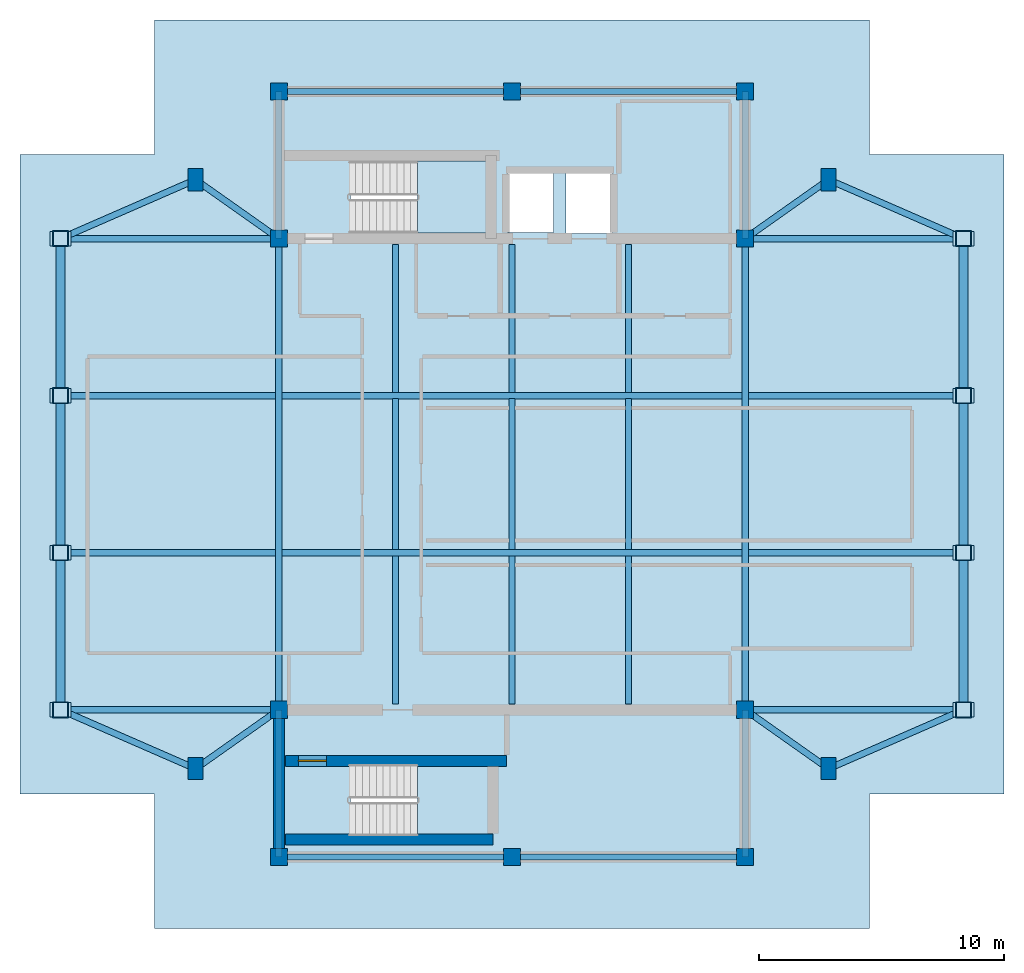
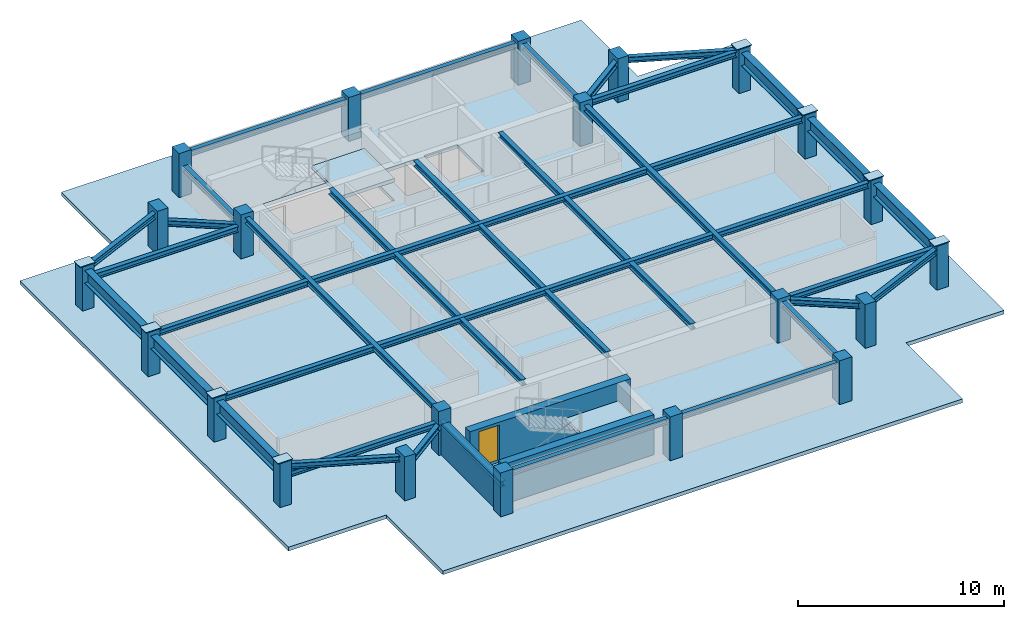
# One storey, part 1 of 4: 43 beams, 22 columns, 8 plates, 3 slabs, 3 walls, 1 door, 1 opening, 2 elements without a shape of their own.
"""IFC4 building model written with IfcOpenShell, lengths in metres."""

from ifc_helpers import new_model, si_unit, direction, frame, frame_2d, origin, origin_2d, place, context, subcontext, project, spatial, polyline, rectangle, hollow_rectangle, i_section, outline, extrude, material, layer, layer_set, material_profile, profile_set, type_object, element, fill, aggregate, save


model = new_model("IFC4")

# Units and contexts
model_context = context("Model", 3, precision=1e-05, world=origin(), true_north=direction((0.0, 1.0)))
body_context = subcontext(model_context, "Body", "Model", "MODEL_VIEW")
ifc_project = project(units=[si_unit("LENGTHUNIT", "METRE"), si_unit("AREAUNIT", "SQUARE_METRE"), si_unit("VOLUMEUNIT", "CUBIC_METRE"), si_unit("PLANEANGLEUNIT", "RADIAN"), si_unit("MASSUNIT", "GRAM", prefix="KILO")], contexts=[model_context])

# Site, building, storey
site_placement = place(None, origin())
site = spatial("IfcSite", under=ifc_project, at=site_placement, CompositionType="ELEMENT")
building_placement = place(site_placement, origin())
building = spatial("IfcBuilding", under=site, at=building_placement, Name="Mirazonda Arch Towers", CompositionType="ELEMENT")
storey_placement = place(building_placement, frame((0.0, 0.0, 273.89990234375)))
storey = spatial("IfcBuildingStorey", under=building, at=storey_placement, Name="L79", CompositionType="ELEMENT", Elevation=273.89990234375)

# Columns
ifc_material_1 = material(Name="Concrete C50/60", Category="concrete")
ifc_material_profile_1 = material_profile(ifc_material_1, rectangle(XDim=0.699951171875, YDim=0.699951171875, at=origin_2d()), Name="RC700x700")
ifc_profile_set_1 = profile_set([ifc_material_profile_1], Name="Concrete C50/60")
column_type_1 = type_object("IfcColumnType", Name="COL-INT-RC700x700", PredefinedType="COLUMN", material=ifc_profile_set_1)
for number, where, z_axis, x_axis, name in (
    (1, (11.0, 12.39990234375, 0.0), (0.0, 0.0, 1.0), (1.0, 0.0, 0.0), "L79 T1 Core Column 01"),
    (2, (20.5, 12.39990234375, 0.0), (0.0, 0.0, 1.0), (1.0, 0.0, 0.0), "L79 T1 Core Column 02"),
    (3, (30.0, 12.39990234375, 0.0), (0.0, 0.0, 1.0), (1.0, 0.0, 0.0), "L79 T1 Core Column 03"),
    (4, (11.0, 18.39990234375, 0.0), (0.0, 0.0, 1.0), (1.0, 0.0, 0.0), "L79 T1 Core Column 04"),
    (5, (30.0, 18.39990234375, 0.0), (0.0, 0.0, 1.0), (1.0, 0.0, 0.0), "L79 T1 Core Column 05"),
    (6, (11.0, 37.60009765625, 0.0), (0.0, 0.0, 1.0), (1.0, 0.0, 0.0), "L79 T1 Core Column 06"),
    (7, (30.0, 37.60009765625, 0.0), (0.0, 0.0, 1.0), (1.0, 0.0, 0.0), "L79 T1 Core Column 07"),
    (8, (11.0, 43.60009765625, 0.0), (0.0, 0.0, 1.0), (1.0, 0.0, 0.0), "L79 T1 Core Column 08"),
    (9, (20.5, 43.60009765625, 0.0), (0.0, 0.0, 1.0), (1.0, 0.0, 0.0), "L79 T1 Core Column 09"),
    (10, (30.0, 43.60009765625, 0.0), (0.0, 0.0, 1.0), (1.0, 0.0, 0.0), "L79 T1 Core Column 10"),
):
    element("IfcColumn", number, at=place(storey_placement, frame(where, z_axis=z_axis, x_axis=x_axis)), inside=storey, type_object=column_type_1, Name=name, PredefinedType="COLUMN", context=body_context, shape_type="SweptSolid", body=[
        extrude(rectangle(XDim=0.699951171875, YDim=0.699951171875, at=origin_2d()), origin(), (0.0, 0.0, 1.0), 2.60009765625),
    ])
ifc_material_2 = material(Name="Steel ASTM A572 Grade 50", Category="steel")
ifc_material_profile_2 = material_profile(ifc_material_2, hollow_rectangle(XDim=0.64990234375, YDim=0.64990234375, WallThickness=0.035888671875, at=origin_2d()), Name="BOX650x650x36")
ifc_profile_set_2 = profile_set([ifc_material_profile_2], Name="Steel ASTM A572 Grade 50")
column_type_2 = type_object("IfcColumnType", Name="MCOL-EXT-BOX650x650x36", PredefinedType="COLUMN", material=ifc_profile_set_2)
for number, where, z_axis, x_axis, name in (
    (11, (2.10009765625, 18.39990234375, 0.0), (0.0, 0.0, 1.0), (1.0, 0.0, 0.0), "L79 T1 Composite Mega-Column 01"),
    (12, (2.10009765625, 24.800048828125, 0.0), (0.0, 0.0, 1.0), (1.0, 0.0, 0.0), "L79 T1 Composite Mega-Column 02"),
    (13, (2.10009765625, 31.199951171875, 0.0), (0.0, 0.0, 1.0), (1.0, 0.0, 0.0), "L79 T1 Composite Mega-Column 03"),
    (14, (2.10009765625, 37.60009765625, 0.0), (0.0, 0.0, 1.0), (1.0, 0.0, 0.0), "L79 T1 Composite Mega-Column 04"),
    (15, (38.89990234375, 18.39990234375, 0.0), (0.0, 0.0, 1.0), (1.0, 0.0, 0.0), "L79 T1 Composite Mega-Column 05"),
    (16, (38.89990234375, 24.800048828125, 0.0), (0.0, 0.0, 1.0), (1.0, 0.0, 0.0), "L79 T1 Composite Mega-Column 06"),
    (17, (38.89990234375, 31.199951171875, 0.0), (0.0, 0.0, 1.0), (1.0, 0.0, 0.0), "L79 T1 Composite Mega-Column 07"),
    (18, (38.89990234375, 37.60009765625, 0.0), (0.0, 0.0, 1.0), (1.0, 0.0, 0.0), "L79 T1 Composite Mega-Column 08"),
):
    element("IfcColumn", number, at=place(storey_placement, frame(where, z_axis=z_axis, x_axis=x_axis)), inside=storey, type_object=column_type_2, Name=name, PredefinedType="COLUMN", context=body_context, shape_type="SweptSolid", body=[
        extrude(hollow_rectangle(XDim=0.64990234375, YDim=0.64990234375, WallThickness=0.035888671875, at=origin_2d()), origin(), (0.0, 0.0, 1.0), 2.60009765625),
    ])
ifc_material_profile_3 = material_profile(ifc_material_1, rectangle(XDim=0.60009765625, YDim=0.89990234375, at=origin_2d()), Name="RC900x600")
ifc_profile_set_3 = profile_set([ifc_material_profile_3], Name="Concrete C50/60")
column_type_3 = type_object("IfcColumnType", Name="PIL-EXT-RC900x600", PredefinedType="PILASTER", material=ifc_profile_set_3)
for number, where, z_axis, x_axis, name in (
    (19, (7.60009765625, 16.0, 0.0), (0.0, 0.0, 1.0), (1.0, 0.0, 0.0), "L79 T1 Corner Pilaster 01"),
    (20, (33.39990234375, 16.0, 0.0), (0.0, 0.0, 1.0), (1.0, 0.0, 0.0), "L79 T1 Corner Pilaster 02"),
    (21, (7.60009765625, 40.0, 0.0), (0.0, 0.0, 1.0), (1.0, 0.0, 0.0), "L79 T1 Corner Pilaster 03"),
    (22, (33.39990234375, 40.0, 0.0), (0.0, 0.0, 1.0), (1.0, 0.0, 0.0), "L79 T1 Corner Pilaster 04"),
):
    element("IfcColumn", number, at=place(storey_placement, frame(where, z_axis=z_axis, x_axis=x_axis)), inside=storey, type_object=column_type_3, Name=name, PredefinedType="PILASTER", context=body_context, shape_type="SweptSolid", body=[
        extrude(rectangle(XDim=0.60009765625, YDim=0.89990234375, at=origin_2d()), origin(), (0.0, 0.0, 1.0), 2.60009765625),
    ])

# Beams
ifc_material_3 = material(Name="Steel ASTM A992 Grade 50", Category="steel")
ifc_material_profile_4 = material_profile(ifc_material_3, i_section(OverallWidth=0.381103515625, OverallDepth=0.77294921875, WebThickness=0.0166015625, FlangeThickness=0.027099609375, at=origin_2d()), Name="W30X173")
ifc_profile_set_4 = profile_set([ifc_material_profile_4], Name="Steel ASTM A992 Grade 50")
beam_type_1 = type_object("IfcBeamType", Name="BM-EXT-W30X173", PredefinedType="USERDEFINED", material=ifc_profile_set_4)
beam_1_placement = place(storey_placement, frame((2.10009765625, 18.39990234375, 1.983642578125), z_axis=(0.0, 1.0, 0.0), x_axis=(-1.0, 0.0, 0.0)))
element("IfcBeam", 23, at=beam_1_placement, inside=storey, type_object=beam_type_1, Name="L79 Floor Beam BMC-T1-L79-NS-W-18", ObjectType="GIRDER", PredefinedType="USERDEFINED", context=body_context, shape_type="SweptSolid", body=[
    extrude(i_section(OverallWidth=0.381103515625, OverallDepth=0.77294921875, WebThickness=0.0166015625, FlangeThickness=0.027099609375, at=origin_2d()), origin(), (0.0, 0.0, 1.0), 6.400146484375),
])
beam_2_placement = place(storey_placement, frame((2.10009765625, 24.800048828125, 1.983642578125), z_axis=(0.0, 1.0, 0.0), x_axis=(-1.0, 0.0, 0.0)))
element("IfcBeam", 24, at=beam_2_placement, inside=storey, type_object=beam_type_1, Name="L79 Floor Beam BMC-T1-L79-NS-W-24", ObjectType="GIRDER", PredefinedType="USERDEFINED", context=body_context, shape_type="SweptSolid", body=[
    extrude(i_section(OverallWidth=0.381103515625, OverallDepth=0.77294921875, WebThickness=0.0166015625, FlangeThickness=0.027099609375, at=origin_2d()), origin(), (0.0, 0.0, 1.0), 6.39990234375),
])
for number, where, z_axis, x_axis, name in (
    (25, (2.10009765625, 31.199951171875, 1.983642578125), (0.0, 1.0, 0.0), (-1.0, 0.0, 0.0), "L79 Floor Beam BMC-T1-L79-NS-W-31"),
    (26, (38.89990234375, 18.39990234375, 1.983642578125), (0.0, 1.0, 0.0), (-1.0, 0.0, 0.0), "L79 Floor Beam BMC-T1-L79-NS-E-18"),
):
    element("IfcBeam", number, at=place(storey_placement, frame(where, z_axis=z_axis, x_axis=x_axis)), inside=storey, type_object=beam_type_1, Name=name, ObjectType="GIRDER", PredefinedType="USERDEFINED", context=body_context, shape_type="SweptSolid", body=[
        extrude(i_section(OverallWidth=0.381103515625, OverallDepth=0.77294921875, WebThickness=0.0166015625, FlangeThickness=0.027099609375, at=origin_2d()), origin(), (0.0, 0.0, 1.0), 6.400146484375),
    ])
beam_3_placement = place(storey_placement, frame((38.89990234375, 24.800048828125, 1.983642578125), z_axis=(0.0, 1.0, 0.0), x_axis=(-1.0, 0.0, 0.0)))
element("IfcBeam", 27, at=beam_3_placement, inside=storey, type_object=beam_type_1, Name="L79 Floor Beam BMC-T1-L79-NS-E-24", ObjectType="GIRDER", PredefinedType="USERDEFINED", context=body_context, shape_type="SweptSolid", body=[
    extrude(i_section(OverallWidth=0.381103515625, OverallDepth=0.77294921875, WebThickness=0.0166015625, FlangeThickness=0.027099609375, at=origin_2d()), origin(), (0.0, 0.0, 1.0), 6.39990234375),
])
beam_4_placement = place(storey_placement, frame((38.89990234375, 31.199951171875, 1.983642578125), z_axis=(0.0, 1.0, 0.0), x_axis=(-1.0, 0.0, 0.0)))
element("IfcBeam", 28, at=beam_4_placement, inside=storey, type_object=beam_type_1, Name="L79 Floor Beam BMC-T1-L79-NS-E-31", ObjectType="GIRDER", PredefinedType="USERDEFINED", context=body_context, shape_type="SweptSolid", body=[
    extrude(i_section(OverallWidth=0.381103515625, OverallDepth=0.77294921875, WebThickness=0.0166015625, FlangeThickness=0.027099609375, at=origin_2d()), origin(), (0.0, 0.0, 1.0), 6.400146484375),
])
ifc_material_profile_5 = material_profile(ifc_material_3, i_section(OverallWidth=0.257080078125, OverallDepth=0.330078125, WebThickness=0.011962890625, FlangeThickness=0.01953125, at=origin_2d()), Name="W10X68")
ifc_profile_set_5 = profile_set([ifc_material_profile_5], Name="Steel ASTM A992 Grade 50")
beam_type_2 = type_object("IfcBeamType", Name="BM-INT-W10X68", PredefinedType="BEAM", material=ifc_profile_set_5)
for number, where, z_axis, x_axis, name in (
    (29, (2.10009765625, 37.60009765625, 1.625), (1.0, 0.0, 0.0), (0.0, 1.0, 0.0), "L79 Floor Beam CBC-T1-L79-NW"),
    (30, (30.0, 37.60009765625, 2.205078125), (1.0, 0.0, 0.0), (0.0, 1.0, 0.0), "L79 Floor Beam CBC-T1-L79-NE"),
    (31, (2.10009765625, 18.39990234375, 1.625), (1.0, 0.0, 0.0), (0.0, 1.0, 0.0), "L79 Floor Beam CBC-T1-L79-SW"),
    (32, (30.0, 18.39990234375, 2.205078125), (1.0, 0.0, 0.0), (0.0, 1.0, 0.0), "L79 Floor Beam CBC-T1-L79-SE"),
):
    element("IfcBeam", number, at=place(storey_placement, frame(where, z_axis=z_axis, x_axis=x_axis)), inside=storey, type_object=beam_type_2, Name=name, PredefinedType="BEAM", context=body_context, shape_type="SweptSolid", body=[
        extrude(i_section(OverallWidth=0.257080078125, OverallDepth=0.330078125, WebThickness=0.011962890625, FlangeThickness=0.01953125, at=origin_2d()), origin(), (0.0, 0.0, 1.0), 8.89990234375),
    ])
beam_5_placement = place(storey_placement, frame((11.12841796875, 24.800048828125, 2.205078125), z_axis=(1.0, 0.0, 0.0), x_axis=(0.0, 1.0, 0.0)))
element("IfcBeam", 33, at=beam_5_placement, inside=storey, type_object=beam_type_2, Name="L79 Floor Beam BMC-T1-L79-GC2", PredefinedType="BEAM", context=body_context, shape_type="SweptSolid", body=[
    extrude(i_section(OverallWidth=0.257080078125, OverallDepth=0.330078125, WebThickness=0.011962890625, FlangeThickness=0.01953125, at=origin_2d()), origin(), (0.0, 0.0, 1.0), 18.7431640625),
])
for number, where, z_axis, x_axis, name in (
    (34, (2.10009765625, 24.800048828125, 2.205078125), (1.0, 0.0, 0.0), (0.0, 1.0, 0.0), "L79 Floor Beam BMC-T1-L79-GW2"),
    (35, (30.12841796875, 24.800048828125, 2.205078125), (1.0, 0.0, 0.0), (0.0, 1.0, 0.0), "L79 Floor Beam BMC-T1-L79-GE2"),
):
    element("IfcBeam", number, at=place(storey_placement, frame(where, z_axis=z_axis, x_axis=x_axis)), inside=storey, type_object=beam_type_2, Name=name, PredefinedType="BEAM", context=body_context, shape_type="SweptSolid", body=[
        extrude(i_section(OverallWidth=0.257080078125, OverallDepth=0.330078125, WebThickness=0.011962890625, FlangeThickness=0.01953125, at=origin_2d()), origin(), (0.0, 0.0, 1.0), 8.771484375),
    ])
beam_6_placement = place(storey_placement, frame((11.12841796875, 31.199951171875, 2.205078125), z_axis=(1.0, 0.0, 0.0), x_axis=(0.0, 1.0, 0.0)))
element("IfcBeam", 36, at=beam_6_placement, inside=storey, type_object=beam_type_2, Name="L79 Floor Beam BMC-T1-L79-GC3", PredefinedType="BEAM", context=body_context, shape_type="SweptSolid", body=[
    extrude(i_section(OverallWidth=0.257080078125, OverallDepth=0.330078125, WebThickness=0.011962890625, FlangeThickness=0.01953125, at=origin_2d()), origin(), (0.0, 0.0, 1.0), 18.7431640625),
])
for number, where, z_axis, x_axis, name in (
    (37, (2.10009765625, 31.199951171875, 2.205078125), (1.0, 0.0, 0.0), (0.0, 1.0, 0.0), "L79 Floor Beam BMC-T1-L79-GW3"),
    (38, (30.12841796875, 31.199951171875, 2.205078125), (1.0, 0.0, 0.0), (0.0, 1.0, 0.0), "L79 Floor Beam BMC-T1-L79-GE3"),
):
    element("IfcBeam", number, at=place(storey_placement, frame(where, z_axis=z_axis, x_axis=x_axis)), inside=storey, type_object=beam_type_2, Name=name, PredefinedType="BEAM", context=body_context, shape_type="SweptSolid", body=[
        extrude(i_section(OverallWidth=0.257080078125, OverallDepth=0.330078125, WebThickness=0.011962890625, FlangeThickness=0.01953125, at=origin_2d()), origin(), (0.0, 0.0, 1.0), 8.771484375),
    ])
for number, where, z_axis, x_axis, name in (
    (39, (11.0, 12.39990234375, 2.205078125), (1.0, 0.0, 0.0), (0.0, 1.0, 0.0), "L79 Floor Beam BMC-T1-L79-CS1"),
    (40, (20.5, 12.39990234375, 2.205078125), (1.0, 0.0, 0.0), (0.0, 1.0, 0.0), "L79 Floor Beam BMC-T1-L79-CS2"),
    (41, (11.0, 43.60009765625, 2.205078125), (1.0, 0.0, 0.0), (0.0, 1.0, 0.0), "L79 Floor Beam BMC-T1-L79-CN1"),
    (42, (20.5, 43.60009765625, 2.205078125), (1.0, 0.0, 0.0), (0.0, 1.0, 0.0), "L79 Floor Beam BMC-T1-L79-CN2"),
):
    element("IfcBeam", number, at=place(storey_placement, frame(where, z_axis=z_axis, x_axis=x_axis)), inside=storey, type_object=beam_type_2, Name=name, PredefinedType="BEAM", context=body_context, shape_type="SweptSolid", body=[
        extrude(i_section(OverallWidth=0.257080078125, OverallDepth=0.330078125, WebThickness=0.011962890625, FlangeThickness=0.01953125, at=origin_2d()), origin(), (0.0, 0.0, 1.0), 9.5),
    ])
for number, where, z_axis, x_axis, name in (
    (43, (11.0, 12.39990234375, 1.625), (0.0, 1.0, 0.0), (-1.0, 0.0, 0.0), "L79 Floor Beam BMC-T1-L79-CSW"),
    (44, (30.0, 12.39990234375, 2.205078125), (0.0, 1.0, 0.0), (-1.0, 0.0, 0.0), "L79 Floor Beam BMC-T1-L79-CSE"),
    (45, (11.0, 37.60009765625, 1.625), (0.0, 1.0, 0.0), (-1.0, 0.0, 0.0), "L79 Floor Beam BMC-T1-L79-CNW"),
    (46, (30.0, 37.60009765625, 2.205078125), (0.0, 1.0, 0.0), (-1.0, 0.0, 0.0), "L79 Floor Beam BMC-T1-L79-CNE"),
):
    element("IfcBeam", number, at=place(storey_placement, frame(where, z_axis=z_axis, x_axis=x_axis)), inside=storey, type_object=beam_type_2, Name=name, PredefinedType="BEAM", context=body_context, shape_type="SweptSolid", body=[
        extrude(i_section(OverallWidth=0.257080078125, OverallDepth=0.330078125, WebThickness=0.011962890625, FlangeThickness=0.01953125, at=origin_2d()), origin(), (0.0, 0.0, 1.0), 6.0),
    ])
for number, where, z_axis, x_axis, name in (
    (47, (11.0, 18.39990234375, 2.205078125), (0.0, 1.0, 0.0), (-1.0, 0.0, 0.0), "L79 Floor Beam BMC-T1-L79-NS-CW-FULL"),
    (48, (30.0, 18.39990234375, 2.205078125), (0.0, 1.0, 0.0), (-1.0, 0.0, 0.0), "L79 Floor Beam BMC-T1-L79-NS-CE-FULL"),
):
    element("IfcBeam", number, at=place(storey_placement, frame(where, z_axis=z_axis, x_axis=x_axis)), inside=storey, type_object=beam_type_2, Name=name, PredefinedType="BEAM", context=body_context, shape_type="SweptSolid", body=[
        extrude(i_section(OverallWidth=0.257080078125, OverallDepth=0.330078125, WebThickness=0.011962890625, FlangeThickness=0.01953125, at=origin_2d()), origin(), (0.0, 0.0, 1.0), 19.2001953125),
    ])
beam_7_placement = place(storey_placement, frame((7.60009765625, 16.0, 1.625), z_axis=(0.816971114901, 0.576678591087, 0.0), x_axis=(-0.576678591087, 0.816971114901, 0.0)))
element("IfcBeam", 49, at=beam_7_placement, inside=storey, type_object=beam_type_2, Name="L79 Floor Beam BMC-T1-L79-PL-SW1", PredefinedType="BEAM", context=body_context, shape_type="SweptSolid", body=[
    extrude(i_section(OverallWidth=0.257080078125, OverallDepth=0.330078125, WebThickness=0.011962890625, FlangeThickness=0.01953125, at=origin_2d()), origin(), (0.0, 0.0, 1.0), 4.16162109375),
])
beam_8_placement = place(storey_placement, frame((7.60009765625, 16.0, 2.205078125), z_axis=(-0.916545343703, 0.399930785183, 0.0), x_axis=(-0.399930785183, -0.916545343703, 0.0)))
element("IfcBeam", 50, at=beam_8_placement, inside=storey, type_object=beam_type_2, Name="L79 Floor Beam BMC-T1-L79-PL-SW2", PredefinedType="BEAM", context=body_context, shape_type="SweptSolid", body=[
    extrude(i_section(OverallWidth=0.257080078125, OverallDepth=0.330078125, WebThickness=0.011962890625, FlangeThickness=0.01953125, at=origin_2d()), origin(), (0.0, 0.0, 1.0), 6.000732421875),
])
beam_9_placement = place(storey_placement, frame((33.39990234375, 16.0, 2.205078125), z_axis=(-0.816971114901, 0.576678591087, 0.0), x_axis=(-0.576678591087, -0.816971114901, 0.0)))
element("IfcBeam", 51, at=beam_9_placement, inside=storey, type_object=beam_type_2, Name="L79 Floor Beam BMC-T1-L79-PL-SE1", PredefinedType="BEAM", context=body_context, shape_type="SweptSolid", body=[
    extrude(i_section(OverallWidth=0.257080078125, OverallDepth=0.330078125, WebThickness=0.011962890625, FlangeThickness=0.01953125, at=origin_2d()), origin(), (0.0, 0.0, 1.0), 4.16162109375),
])
beam_10_placement = place(storey_placement, frame((33.39990234375, 16.0, 2.205078125), z_axis=(0.916545343703, 0.399930785183, 0.0), x_axis=(-0.399930785183, 0.916545343703, 0.0)))
element("IfcBeam", 52, at=beam_10_placement, inside=storey, type_object=beam_type_2, Name="L79 Floor Beam BMC-T1-L79-PL-SE2", PredefinedType="BEAM", context=body_context, shape_type="SweptSolid", body=[
    extrude(i_section(OverallWidth=0.257080078125, OverallDepth=0.330078125, WebThickness=0.011962890625, FlangeThickness=0.01953125, at=origin_2d()), origin(), (0.0, 0.0, 1.0), 6.000732421875),
])
beam_11_placement = place(storey_placement, frame((7.60009765625, 40.0, 1.625), z_axis=(0.816971114901, -0.576678591087, 0.0), x_axis=(0.576678591087, 0.816971114901, 0.0)))
element("IfcBeam", 53, at=beam_11_placement, inside=storey, type_object=beam_type_2, Name="L79 Floor Beam BMC-T1-L79-PL-NW1", PredefinedType="BEAM", context=body_context, shape_type="SweptSolid", body=[
    extrude(i_section(OverallWidth=0.257080078125, OverallDepth=0.330078125, WebThickness=0.011962890625, FlangeThickness=0.01953125, at=origin_2d()), origin(), (0.0, 0.0, 1.0), 4.16162109375),
])
beam_12_placement = place(storey_placement, frame((7.60009765625, 40.0, 2.205078125), z_axis=(-0.916545343703, -0.399930785183, 0.0), x_axis=(0.399930785183, -0.916545343703, 0.0)))
element("IfcBeam", 54, at=beam_12_placement, inside=storey, type_object=beam_type_2, Name="L79 Floor Beam BMC-T1-L79-PL-NW2", PredefinedType="BEAM", context=body_context, shape_type="SweptSolid", body=[
    extrude(i_section(OverallWidth=0.257080078125, OverallDepth=0.330078125, WebThickness=0.011962890625, FlangeThickness=0.01953125, at=origin_2d()), origin(), (0.0, 0.0, 1.0), 6.000732421875),
])
beam_13_placement = place(storey_placement, frame((33.39990234375, 40.0, 2.205078125), z_axis=(-0.816971114901, -0.576678591087, 0.0), x_axis=(0.576678591087, -0.816971114901, 0.0)))
element("IfcBeam", 55, at=beam_13_placement, inside=storey, type_object=beam_type_2, Name="L79 Floor Beam BMC-T1-L79-PL-NE1", PredefinedType="BEAM", context=body_context, shape_type="SweptSolid", body=[
    extrude(i_section(OverallWidth=0.257080078125, OverallDepth=0.330078125, WebThickness=0.011962890625, FlangeThickness=0.01953125, at=origin_2d()), origin(), (0.0, 0.0, 1.0), 4.16162109375),
])
beam_14_placement = place(storey_placement, frame((33.39990234375, 40.0, 2.205078125), z_axis=(0.916545343703, -0.399930785183, 0.0), x_axis=(0.399930785183, 0.916545343703, 0.0)))
element("IfcBeam", 56, at=beam_14_placement, inside=storey, type_object=beam_type_2, Name="L79 Floor Beam BMC-T1-L79-PL-NE2", PredefinedType="BEAM", context=body_context, shape_type="SweptSolid", body=[
    extrude(i_section(OverallWidth=0.257080078125, OverallDepth=0.330078125, WebThickness=0.011962890625, FlangeThickness=0.01953125, at=origin_2d()), origin(), (0.0, 0.0, 1.0), 6.000732421875),
])
for number, where, z_axis, x_axis, name in (
    (57, (15.75, 18.639892578125, 2.205078125), (0.0, 1.0, 0.0), (-1.0, 0.0, 0.0), "L79 Floor Beam BMC-T1-L79-J-157-18"),
    (58, (15.75, 31.324462890625, 2.205078125), (0.0, 1.0, 0.0), (-1.0, 0.0, 0.0), "L79 Floor Beam BMC-T1-L79-J-157-31"),
):
    element("IfcBeam", number, at=place(storey_placement, frame(where, z_axis=z_axis, x_axis=x_axis)), inside=storey, type_object=beam_type_2, Name=name, PredefinedType="BEAM", context=body_context, shape_type="SweptSolid", body=[
        extrude(i_section(OverallWidth=0.257080078125, OverallDepth=0.330078125, WebThickness=0.011962890625, FlangeThickness=0.01953125, at=origin_2d()), origin(), (0.0, 0.0, 1.0), 6.03564453125),
    ])
beam_15_placement = place(storey_placement, frame((15.75, 24.924560546875, 2.205078125), z_axis=(0.0, 1.0, 0.0), x_axis=(-1.0, 0.0, 0.0)))
element("IfcBeam", 59, at=beam_15_placement, inside=storey, type_object=beam_type_2, Name="L79 Floor Beam BMC-T1-L79-J-157-24", PredefinedType="BEAM", context=body_context, shape_type="SweptSolid", body=[
    extrude(i_section(OverallWidth=0.257080078125, OverallDepth=0.330078125, WebThickness=0.011962890625, FlangeThickness=0.01953125, at=origin_2d()), origin(), (0.0, 0.0, 1.0), 6.15087890625),
])
for number, where, z_axis, x_axis, name in (
    (60, (20.5, 18.639892578125, 2.205078125), (0.0, 1.0, 0.0), (-1.0, 0.0, 0.0), "L79 Floor Beam BMC-T1-L79-J-205-18"),
    (61, (20.5, 31.324462890625, 2.205078125), (0.0, 1.0, 0.0), (-1.0, 0.0, 0.0), "L79 Floor Beam BMC-T1-L79-J-205-31"),
):
    element("IfcBeam", number, at=place(storey_placement, frame(where, z_axis=z_axis, x_axis=x_axis)), inside=storey, type_object=beam_type_2, Name=name, PredefinedType="BEAM", context=body_context, shape_type="SweptSolid", body=[
        extrude(i_section(OverallWidth=0.257080078125, OverallDepth=0.330078125, WebThickness=0.011962890625, FlangeThickness=0.01953125, at=origin_2d()), origin(), (0.0, 0.0, 1.0), 6.03564453125),
    ])
beam_16_placement = place(storey_placement, frame((20.5, 24.924560546875, 2.205078125), z_axis=(0.0, 1.0, 0.0), x_axis=(-1.0, 0.0, 0.0)))
element("IfcBeam", 62, at=beam_16_placement, inside=storey, type_object=beam_type_2, Name="L79 Floor Beam BMC-T1-L79-J-205-24", PredefinedType="BEAM", context=body_context, shape_type="SweptSolid", body=[
    extrude(i_section(OverallWidth=0.257080078125, OverallDepth=0.330078125, WebThickness=0.011962890625, FlangeThickness=0.01953125, at=origin_2d()), origin(), (0.0, 0.0, 1.0), 6.15087890625),
])
for number, where, z_axis, x_axis, name in (
    (63, (25.25, 18.639892578125, 2.205078125), (0.0, 1.0, 0.0), (-1.0, 0.0, 0.0), "L79 Floor Beam BMC-T1-L79-J-252-18"),
    (64, (25.25, 31.324462890625, 2.205078125), (0.0, 1.0, 0.0), (-1.0, 0.0, 0.0), "L79 Floor Beam BMC-T1-L79-J-252-31"),
):
    element("IfcBeam", number, at=place(storey_placement, frame(where, z_axis=z_axis, x_axis=x_axis)), inside=storey, type_object=beam_type_2, Name=name, PredefinedType="BEAM", context=body_context, shape_type="SweptSolid", body=[
        extrude(i_section(OverallWidth=0.257080078125, OverallDepth=0.330078125, WebThickness=0.011962890625, FlangeThickness=0.01953125, at=origin_2d()), origin(), (0.0, 0.0, 1.0), 6.03564453125),
    ])
beam_17_placement = place(storey_placement, frame((25.25, 24.924560546875, 2.205078125), z_axis=(0.0, 1.0, 0.0), x_axis=(-1.0, 0.0, 0.0)))
element("IfcBeam", 65, at=beam_17_placement, inside=storey, type_object=beam_type_2, Name="L79 Floor Beam BMC-T1-L79-J-252-24", PredefinedType="BEAM", context=body_context, shape_type="SweptSolid", body=[
    extrude(i_section(OverallWidth=0.257080078125, OverallDepth=0.330078125, WebThickness=0.011962890625, FlangeThickness=0.01953125, at=origin_2d()), origin(), (0.0, 0.0, 1.0), 6.15087890625),
])

# Plates
ifc_layer_1 = layer(ifc_material_2, 0.035888671875, Name="PLATE-CAP-850x600x36")
ifc_layer_set_1 = layer_set([ifc_layer_1], Name="Steel ASTM A572 Grade 50")
plate_type = type_object("IfcPlateType", Name="PLATE-CAP-850x600x36", PredefinedType="USERDEFINED", material=ifc_layer_set_1)
for number, where, z_axis, x_axis, name in (
    (66, (2.10009765625, 18.39990234375, 2.588134765625), (0.0, 0.0, 1.0), (1.0, 0.0, 0.0), "Steel end closure plate NP-T1MC-01"),
    (67, (2.10009765625, 24.800048828125, 2.588134765625), (0.0, 0.0, 1.0), (1.0, 0.0, 0.0), "Steel end closure plate NP-T1MC-02"),
    (68, (2.10009765625, 31.199951171875, 2.588134765625), (0.0, 0.0, 1.0), (1.0, 0.0, 0.0), "Steel end closure plate NP-T1MC-03"),
    (69, (2.10009765625, 37.60009765625, 2.588134765625), (0.0, 0.0, 1.0), (1.0, 0.0, 0.0), "Steel end closure plate NP-T1MC-04"),
    (70, (38.89990234375, 18.39990234375, 2.588134765625), (0.0, 0.0, 1.0), (1.0, 0.0, 0.0), "Steel end closure plate NP-T1MC-05"),
    (71, (38.89990234375, 24.800048828125, 2.588134765625), (0.0, 0.0, 1.0), (1.0, 0.0, 0.0), "Steel end closure plate NP-T1MC-06"),
    (72, (38.89990234375, 31.199951171875, 2.588134765625), (0.0, 0.0, 1.0), (1.0, 0.0, 0.0), "Steel end closure plate NP-T1MC-07"),
    (73, (38.89990234375, 37.60009765625, 2.588134765625), (0.0, 0.0, 1.0), (1.0, 0.0, 0.0), "Steel end closure plate NP-T1MC-08"),
):
    element("IfcPlate", number, at=place(storey_placement, frame(where, z_axis=z_axis, x_axis=x_axis)), inside=storey, type_object=plate_type, Name=name, ObjectType="CAP PLATE", PredefinedType="USERDEFINED", context=body_context, shape_type="SweptSolid", body=[
        extrude(rectangle(XDim=0.85009765625, YDim=0.60009765625, at=origin_2d()), origin(), (0.0, 0.0, 1.0), 0.0400390625),
    ])

# Stair, slab
ifc_material_4 = material(Name="Concrete C40/50", Category="concrete")
stair_type = type_object("IfcStairType", Name="STAIR-CORE-1400", PredefinedType="HALF_TURN_STAIR", material=ifc_material_4)
stair_1_placement = place(storey_placement, origin())
stair_1 = element("IfcStair", 74, at=stair_1_placement, inside=storey, type_object=stair_type, Name="L79 Protected Exit Stair ST-T1N", PredefinedType="HALF_TURN_STAIR")
ifc_layer_2 = layer(ifc_material_4, 0.18994140625, Name="SLAB-LANDING-190")
ifc_layer_set_2 = layer_set([ifc_layer_2], Name="Concrete C40/50")
slab_type_1 = type_object("IfcSlabType", Name="SLAB-LANDING-190", PredefinedType="LANDING", material=ifc_layer_set_2)
slab_1_placement = place(storey_placement, frame((0.0, 0.0, 1.10009765625)))
slab_1 = element("IfcSlab", 75, at=slab_1_placement, type_object=slab_type_1, Name="ST-T1N landing 1", PredefinedType="LANDING", context=body_context, shape_type="SweptSolid", body=[
    extrude(outline(polyline([(16.64990234375, 37.820068359375), (19.60009765625, 37.820068359375), (19.60009765625, 40.760009765625), (16.64990234375, 40.760009765625), (16.64990234375, 37.820068359375)])), origin(), (0.0, 0.0, 1.0), 0.199951171875),
])
aggregate(stair_1, [slab_1])

stair_2_placement = place(storey_placement, origin())
stair_2 = element("IfcStair", 76, at=stair_2_placement, inside=storey, type_object=stair_type, Name="L79 Protected Exit Stair ST-T1S", PredefinedType="HALF_TURN_STAIR")
slab_2_placement = place(storey_placement, frame((0.0, 0.0, 1.10009765625)))
slab_2 = element("IfcSlab", 77, at=slab_2_placement, type_object=slab_type_1, Name="ST-T1S landing 1", PredefinedType="LANDING", context=body_context, shape_type="SweptSolid", body=[
    extrude(outline(polyline([(16.64990234375, 13.25), (19.60009765625, 13.25), (19.60009765625, 16.18994140625), (16.64990234375, 16.18994140625), (16.64990234375, 13.25)])), origin(), (0.0, 0.0, 1.0), 0.199951171875),
])
aggregate(stair_2, [slab_2])

# Slab
ifc_layer_3 = layer(ifc_material_4, 0.219970703125, Name="SLAB-TWR-220")
ifc_layer_set_3 = layer_set([ifc_layer_3], Name="Concrete C40/50")
slab_type_2 = type_object("IfcSlabType", Name="SLAB-TWR-220", PredefinedType="FLOOR", material=ifc_layer_set_3)
slab_3_placement = place(storey_placement, frame((0.0, 0.0, -0.219970703125)))
element("IfcSlab", 78, at=slab_3_placement, inside=storey, type_object=slab_type_2, Name="L79 Tower 1 Floor Slab", PredefinedType="FLOOR", context=body_context, shape_type="SweptSolid", body=[
    extrude(outline(polyline([(5.93505859375, 9.489990234375), (35.06494140625, 9.489990234375), (35.06494140625, 14.97509765625), (40.550048828125, 14.97509765625), (40.550048828125, 41.02490234375), (35.06494140625, 41.02490234375), (35.06494140625, 46.510009765625), (5.93505859375, 46.510009765625), (5.93505859375, 41.02490234375), (0.449951171875, 41.02490234375), (0.449951171875, 14.97509765625), (5.93505859375, 14.97509765625), (5.93505859375, 9.489990234375)]), holes=[polyline([(22.7099609375, 37.81005859375), (22.7099609375, 40.389892578125), (24.590087890625, 40.389892578125), (24.590087890625, 37.81005859375), (22.7099609375, 37.81005859375)]), polyline([(20.31005859375, 37.860107421875), (20.31005859375, 40.340087890625), (22.18994140625, 40.340087890625), (22.18994140625, 37.860107421875), (20.31005859375, 37.860107421875)]), polyline([(19.60009765625, 13.25), (13.925048828125, 13.25), (13.925048828125, 16.18994140625), (19.60009765625, 16.18994140625), (19.60009765625, 13.25)]), polyline([(19.60009765625, 37.820068359375), (13.925048828125, 37.820068359375), (13.925048828125, 40.760009765625), (19.60009765625, 40.760009765625), (19.60009765625, 37.820068359375)])]), origin(), (0.0, 0.0, 1.0), 0.219970703125),
])

# Walls
ifc_layer_4 = layer(ifc_material_1, 0.449951171875, Name="WALL-CORE-450")
ifc_layer_set_4 = layer_set([ifc_layer_4], Name="Concrete C50/60")
wall_type = type_object("IfcWallType", Name="WALL-CORE-450", PredefinedType="SHEAR", material=ifc_layer_set_4)
wall_1_placement = place(storey_placement, frame((11.0, 12.39990234375, 0.0), z_axis=(0.0, 0.0, 1.0), x_axis=(0.0, 1.0, 0.0)))
element("IfcWall", 79, at=wall_1_placement, inside=storey, type_object=wall_type, Name="L79 T1S-W Core Shear Wall", PredefinedType="SHEAR", context=body_context, shape_type="SweptSolid", body=[
    extrude(rectangle(XDim=6.0, YDim=0.449951171875, at=frame_2d((3.0, 0.0))), origin(), (0.0, 0.0, 1.0), 1.7900390625),
])
wall_2_placement = place(storey_placement, frame((11.27001953125, 13.1201171875, 0.0), z_axis=(0.0, 0.0, 1.0), x_axis=(1.0, 0.0, 0.0)))
element("IfcWall", 80, at=wall_2_placement, inside=storey, type_object=wall_type, Name="L79 Stair Core Shear Wall 001", PredefinedType="SHEAR", context=body_context, shape_type="SweptSolid", body=[
    extrude(rectangle(XDim=8.4599609375, YDim=0.449951171875, at=frame_2d((4.22998046875, 0.0))), origin(), (0.0, 0.0, 1.0), 2.3701171875),
])

# Wall, opening, door
wall_3_placement = place(storey_placement, frame((11.27001953125, 16.320068359375, 0.0), z_axis=(0.0, 0.0, 1.0), x_axis=(1.0, 0.0, 0.0)))
wall_3 = element("IfcWall", 81, at=wall_3_placement, inside=storey, type_object=wall_type, Name="L79 Stair Core Shear Wall 002", PredefinedType="SHEAR", context=body_context, shape_type="SweptSolid", body=[
    extrude(rectangle(XDim=9.010009765625, YDim=0.449951171875, at=frame_2d((4.5048828125, 0.0))), origin(), (0.0, 0.0, 1.0), 2.3701171875),
])
opening_placement = place(wall_3_placement, frame((0.52001953125, 0.0, 0.0)))
opening = element("IfcOpeningElement", 82, at=opening_placement, cuts=wall_3, Name="Opening DR-135", PredefinedType="OPENING", context=body_context, shape_type="SweptSolid", body=[
    extrude(rectangle(XDim=1.14990234375, YDim=2.199951171875, at=frame_2d((0.574951171875, 1.10009765625))), frame((0.0, 0.23486328125, 0.0), z_axis=(0.0, -1.0, 0.0), x_axis=(1.0, 0.0, 0.0)), (0.0, 0.0, 1.0), 0.469970703125),
])
ifc_material_5 = material(Name="Architectural Brushed Steel S355", Category="steel")
door_type = type_object("IfcDoorType", Name="DOOR-STAIR-FD90-1150", OperationType="NOTDEFINED", PredefinedType="DOOR", material=ifc_material_5)
door_placement = place(opening_placement, origin())
door = element("IfcDoor", 83, at=door_placement, inside=storey, type_object=door_type, Name="L79 Protected Exit Stair South Door", OperationType="SINGLE_SWING_LEFT", OverallHeight=2.199951171875, OverallWidth=1.14990234375, PredefinedType="DOOR", context=body_context, shape_type="SweptSolid", body=[
    extrude(rectangle(XDim=1.14990234375, YDim=2.199951171875, at=frame_2d((0.574951171875, 1.10009765625))), frame((0.0, 0.02490234375, 0.0), z_axis=(0.0, -1.0, 0.0), x_axis=(1.0, 0.0, 0.0)), (0.0, 0.0, 1.0), 0.050048828125),
])
fill(opening, door)

save(model, "model.ifc")
